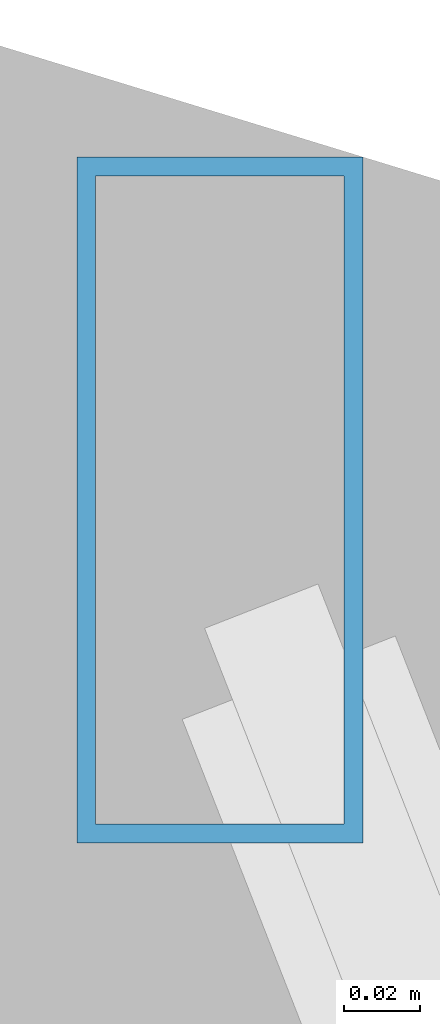
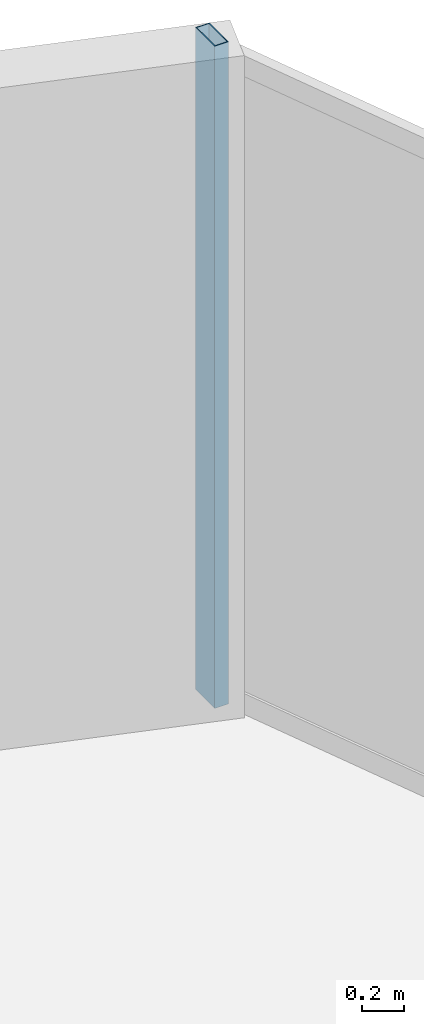
# One storey, part 23 of 30: 1 member, 1 element without a shape of its own.
"""IFC4 building model written with IfcOpenShell, lengths in metres."""

from ifc_helpers import new_model, si_unit, direction, frame, origin, origin_2d, place, context, subcontext, project, spatial, hollow_rectangle, extrude, material, layer, layer_set, material_profile, profile_set, type_object, element, aggregate, save


model = new_model("IFC4")

# Units and contexts
model_context = context("Model", 3, precision=1e-05, world=origin(), true_north=direction((0.0, 1.0)))
body_context = subcontext(model_context, "Body", "Model", "MODEL_VIEW")
ifc_project = project(units=[si_unit("LENGTHUNIT", "METRE"), si_unit("AREAUNIT", "SQUARE_METRE"), si_unit("VOLUMEUNIT", "CUBIC_METRE"), si_unit("PLANEANGLEUNIT", "RADIAN"), si_unit("MASSUNIT", "GRAM", prefix="KILO")], contexts=[model_context])

# Site, building, storey
site_placement = place(None, origin())
site = spatial("IfcSite", under=ifc_project, at=site_placement, CompositionType="ELEMENT")
building_placement = place(site_placement, origin())
building = spatial("IfcBuilding", under=site, at=building_placement, Name="Veymaron Broadcast Tower", CompositionType="ELEMENT")
storey_placement = place(building_placement, frame((0.0, 0.0, 49.949951171875)))
storey = spatial("IfcBuildingStorey", under=building, at=storey_placement, Name="L10", CompositionType="ELEMENT", Elevation=49.949951171875)

# Curtain wall, member
ifc_material_1 = material(Name="Anodised aluminium AA 6063-T6 and laminated low-E dark glass", Category="aluminium")
ifc_layer = layer(ifc_material_1, 0.179931640625)
ifc_layer_set = layer_set([ifc_layer], Name="Anodised aluminium AA 6063-T6 and laminated low-E dark glass")
curtain_wall_type = type_object("IfcCurtainWallType", Name="CW-SYS-02", PredefinedType="NOTDEFINED", material=ifc_layer_set)
curtain_wall_placement = place(storey_placement, origin())
curtain_wall = element("IfcCurtainWall", 1, at=curtain_wall_placement, inside=storey, type_object=curtain_wall_type, Name="L10 dark-glass curtain wall CW-L10-E5-1", PredefinedType="NOTDEFINED")
ifc_material_2 = material(Name="Anodised aluminium AA 6063-T6", Category="aluminium")
ifc_material_profile = material_profile(ifc_material_2, hollow_rectangle(XDim=0.074951171875, YDim=0.179931640625, WallThickness=0.0048828125, at=origin_2d()), Name="AL180X75X5")
ifc_profile_set = profile_set([ifc_material_profile], Name="Anodised aluminium AA 6063-T6")
member_type = type_object("IfcMemberType", Name="CW-MUL-02", PredefinedType="MULLION", material=ifc_profile_set)
member_placement = place(storey_placement, frame((41.6220703125, 44.052978515625, 0.0), z_axis=(0.0, 0.0, 1.0), x_axis=(1.0, 0.0, 0.0)))
member = element("IfcMember", 2, at=member_placement, type_object=member_type, Name="CW-L10-E5-1 mullion 2", PredefinedType="MULLION", context=body_context, shape_type="SweptSolid", body=[
    extrude(hollow_rectangle(XDim=0.074951171875, YDim=0.179931640625, WallThickness=0.0048828125, at=origin_2d()), origin(), (0.0, 0.0, 1.0), 3.81005859375),
])
aggregate(curtain_wall, [member])

save(model, "model.ifc")
